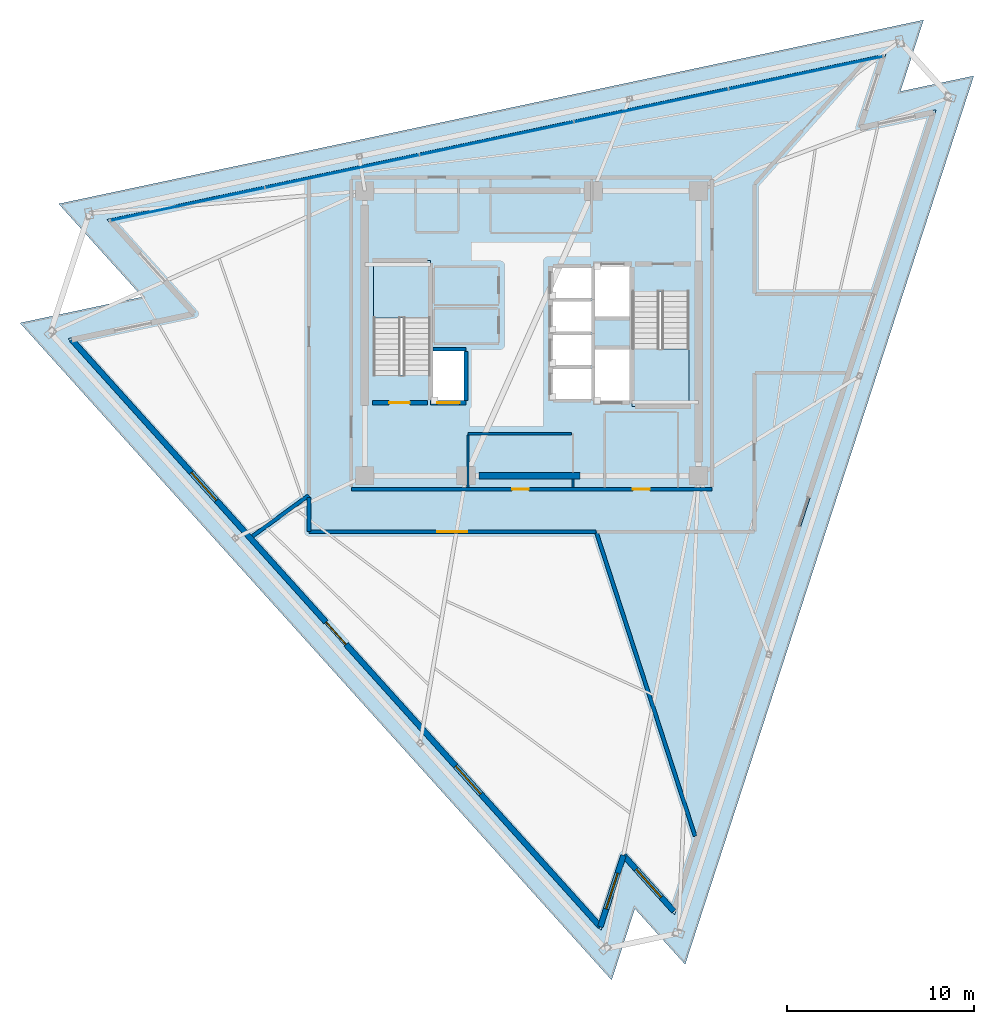
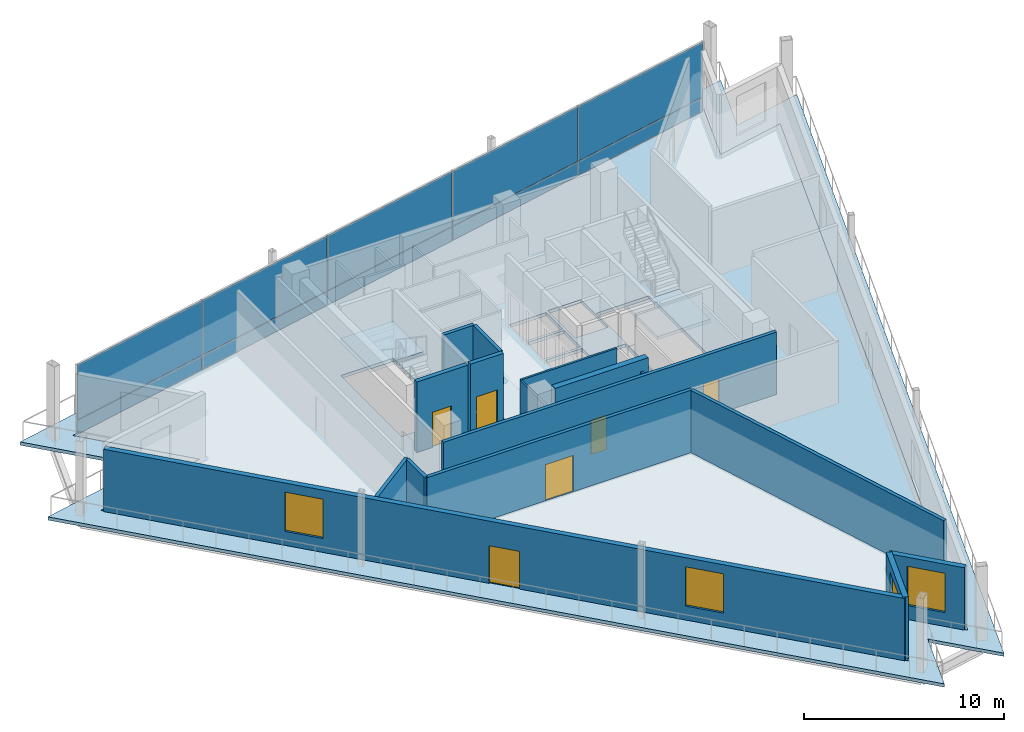
# One storey, part 6 of 11: 16 walls, 10 plates, 6 doors, 4 slabs, 4 windows, 10 openings, 3 elements without a shape of their own.
"""IFC4 building model written with IfcOpenShell, lengths in metres."""

from ifc_helpers import new_model, si_unit, direction, frame, frame_2d, origin, origin_2d, place, context, subcontext, project, spatial, polyline, rectangle, outline, extrude, material, layer, layer_set, type_object, element, fill, aggregate, save


model = new_model("IFC4")

# Units and contexts
model_context = context("Model", 3, precision=1e-05, world=origin(), true_north=direction((0.0, 1.0)))
body_context = subcontext(model_context, "Body", "Model", "MODEL_VIEW")
ifc_project = project(units=[si_unit("LENGTHUNIT", "METRE"), si_unit("AREAUNIT", "SQUARE_METRE"), si_unit("VOLUMEUNIT", "CUBIC_METRE"), si_unit("PLANEANGLEUNIT", "RADIAN"), si_unit("MASSUNIT", "GRAM", prefix="KILO")], contexts=[model_context])

# Site, building, storey
site_placement = place(None, origin())
site = spatial("IfcSite", under=ifc_project, at=site_placement, CompositionType="ELEMENT")
building_placement = place(site_placement, origin())
building = spatial("IfcBuilding", under=site, at=building_placement, Name="Tharavind Bronze Gate", CompositionType="ELEMENT")
storey_placement = place(building_placement, frame((0.0, 0.0, 306.300048828125)))
storey = spatial("IfcBuildingStorey", under=building, at=storey_placement, Name="L79", CompositionType="ELEMENT", Elevation=306.300048828125)

# Curtain wall, plates
ifc_material_1 = material(Name="Anodised Bronze Aluminium", Category="aluminium")
ifc_layer_1 = layer(ifc_material_1, 0.219970703125)
ifc_layer_set_1 = layer_set([ifc_layer_1], Name="Anodised Bronze Aluminium")
curtain_wall_type = type_object("IfcCurtainWallType", Name="UNITISED CURTAIN WALL CROWN", PredefinedType="USERDEFINED", material=ifc_layer_set_1)
curtain_wall_placement = place(storey_placement, origin())
curtain_wall = element("IfcCurtainWall", 1, at=curtain_wall_placement, inside=storey, type_object=curtain_wall_type, Name="L79 unitised curtain wall crown CW-L79-S3", ObjectType="UNITISED CURTAIN WALL", PredefinedType="USERDEFINED")
ifc_material_2 = material(Name="Patinated Bronze Alloy Sheet", Category="bronze")
ifc_layer_2 = layer(ifc_material_2, 0.01611328125)
ifc_layer_set_2 = layer_set([ifc_layer_2], Name="Patinated Bronze Alloy Sheet")
plate_type_1 = type_object("IfcPlateType", Name="BRONZE SPANDREL CLADDING PANEL 16", PredefinedType="CURTAIN_PANEL", material=ifc_layer_set_2)
plate_1_placement = place(storey_placement, frame((14.62353515625, 13.899169921875, 0.0263671875), z_axis=(0.0, 0.0, 1.0), x_axis=(-0.978147600734, -0.207911690818, 0.0)))
plate_1 = element("IfcPlate", 2, at=plate_1_placement, type_object=plate_type_1, Name="CW-L79-S3 bronze spandrel panel 1", PredefinedType="CURTAIN_PANEL", context=body_context, shape_type="SweptSolid", body=[
    extrude(rectangle(XDim=8.375, YDim=0.01611328125, at=origin_2d()), origin(), (0.0, 0.0, 1.0), 0.846923828125),
])
plate_2_placement = place(storey_placement, frame((6.3798828125, 12.146728515625, 0.0263671875), z_axis=(0.0, 0.0, 1.0), x_axis=(-0.978147600734, -0.207911690818, 0.0)))
plate_2 = element("IfcPlate", 3, at=plate_2_placement, type_object=plate_type_1, Name="CW-L79-S3 bronze spandrel panel 2", PredefinedType="CURTAIN_PANEL", context=body_context, shape_type="SweptSolid", body=[
    extrude(rectangle(XDim=8.375, YDim=0.01611328125, at=origin_2d()), origin(), (0.0, 0.0, 1.0), 0.846923828125),
])
plate_3_placement = place(storey_placement, frame((-1.86376953125, 10.39453125, 0.0263671875), z_axis=(0.0, 0.0, 1.0), x_axis=(-0.978147600734, -0.207911690818, 0.0)))
plate_3 = element("IfcPlate", 4, at=plate_3_placement, type_object=plate_type_1, Name="CW-L79-S3 bronze spandrel panel 3", PredefinedType="CURTAIN_PANEL", context=body_context, shape_type="SweptSolid", body=[
    extrude(rectangle(XDim=8.375, YDim=0.01611328125, at=origin_2d()), origin(), (0.0, 0.0, 1.0), 0.846923828125),
])
plate_4_placement = place(storey_placement, frame((-10.107666015625, 8.642333984375, 0.0263671875), z_axis=(0.0, 0.0, 1.0), x_axis=(-0.978147600734, -0.207911690818, 0.0)))
plate_4 = element("IfcPlate", 5, at=plate_4_placement, type_object=plate_type_1, Name="CW-L79-S3 bronze spandrel panel 4", PredefinedType="CURTAIN_PANEL", context=body_context, shape_type="SweptSolid", body=[
    extrude(rectangle(XDim=8.375, YDim=0.01611328125, at=origin_2d()), origin(), (0.0, 0.0, 1.0), 0.846923828125),
])
plate_5_placement = place(storey_placement, frame((-18.351318359375, 6.889892578125, 0.0263671875), z_axis=(0.0, 0.0, 1.0), x_axis=(-0.978147600734, -0.207911690818, 0.0)))
plate_5 = element("IfcPlate", 6, at=plate_5_placement, type_object=plate_type_1, Name="CW-L79-S3 bronze spandrel panel 5", PredefinedType="CURTAIN_PANEL", context=body_context, shape_type="SweptSolid", body=[
    extrude(rectangle(XDim=8.375, YDim=0.01611328125, at=origin_2d()), origin(), (0.0, 0.0, 1.0), 0.846923828125),
])

# Slab
ifc_material_3 = material(Name="Concrete C40/50", Category="concrete")
ifc_layer_3 = layer(ifc_material_3, 0.199951171875)
ifc_layer_set_3 = layer_set([ifc_layer_3], Name="Concrete C40/50")
slab_type_1 = type_object("IfcSlabType", Name="OBSERVATION DECK TERRACE SLAB 200", PredefinedType="FLOOR", material=ifc_layer_set_3)
slab_1_placement = place(storey_placement, frame((0.0, 0.0, -0.199951171875)))
element("IfcSlab", 7, at=slab_1_placement, inside=storey, type_object=slab_type_1, Name="L79 open-air observation deck terrace slab", PredefinedType="FLOOR", context=body_context, shape_type="SweptSolid", body=[
    extrude(outline(polyline([(-25.231201171875, 6.909912109375), (-20.761474609375, 1.94580078125), (-27.29541015625, 0.556884765625), (4.262451171875, -34.49169921875), (5.5009765625, -30.6796875), (8.182861328125, -33.658203125), (23.58251953125, 13.737060546875), (19.662109375, 12.90380859375), (20.900634765625, 16.7158203125), (-25.231201171875, 6.909912109375)]), holes=[polyline([(18.89404296875, 14.9091796875), (17.655517578125, 11.09716796875), (21.575927734375, 11.930419921875), (7.621337890625, -31.017333984375), (4.939453125, -28.038818359375), (3.700927734375, -31.8505859375), (-24.7275390625, -0.27734375), (-18.193603515625, 1.111328125), (-22.663330078125, 6.07568359375), (18.89404296875, 14.9091796875)])]), origin(), (0.0, 0.0, 1.0), 0.199951171875),
])

# Stair, slab
stair_type = type_object("IfcStairType", Name="CORE HALF TURN STAIR 1450", PredefinedType="HALF_TURN_STAIR", material=ifc_material_3)
stair_1_placement = place(storey_placement, origin())
stair_1 = element("IfcStair", 8, at=stair_1_placement, inside=storey, type_object=stair_type, Name="L79 Protected Exit Stair ST1", PredefinedType="HALF_TURN_STAIR")
ifc_layer_4 = layer(ifc_material_3, 0.199951171875)
ifc_layer_set_4 = layer_set([ifc_layer_4], Name="Concrete C40/50")
slab_type_2 = type_object("IfcSlabType", Name="STAIR LANDING SLAB 200", PredefinedType="LANDING", material=ifc_layer_set_4)
slab_2_placement = place(storey_placement, frame((0.0, 0.0, 2.074951171875)))
slab_2 = element("IfcSlab", 9, at=slab_2_placement, type_object=slab_type_2, Name="ST1 landing 1", PredefinedType="LANDING", context=body_context, shape_type="SweptSolid", body=[
    extrude(outline(polyline([(-5.39990234375, 0.830078125), (-5.39990234375, 3.89990234375), (-8.449951171875, 3.89990234375), (-8.449951171875, 0.830078125), (-5.39990234375, 0.830078125)])), origin(), (0.0, 0.0, 1.0), 0.199951171875),
])
aggregate(stair_1, [slab_2])

stair_2_placement = place(storey_placement, origin())
stair_2 = element("IfcStair", 10, at=stair_2_placement, inside=storey, type_object=stair_type, Name="L79 Protected Exit Stair ST2", PredefinedType="HALF_TURN_STAIR")
slab_3_placement = place(storey_placement, frame((0.0, 0.0, 2.074951171875)))
slab_3 = element("IfcSlab", 11, at=slab_3_placement, type_object=slab_type_2, Name="ST2 landing 1", PredefinedType="LANDING", context=body_context, shape_type="SweptSolid", body=[
    extrude(outline(polyline([(5.35009765625, -0.830078125), (5.35009765625, -3.89990234375), (8.39990234375, -3.89990234375), (8.39990234375, -0.830078125), (5.35009765625, -0.830078125)])), origin(), (0.0, 0.0, 1.0), 0.199951171875),
])
aggregate(stair_2, [slab_3])

# Slab
ifc_layer_5 = layer(ifc_material_3, 0.199951171875)
ifc_layer_set_5 = layer_set([ifc_layer_5], Name="Concrete C40/50")
slab_type_3 = type_object("IfcSlabType", Name="STRUCTURAL FLOOR SLAB 200", PredefinedType="FLOOR", material=ifc_layer_set_5)
slab_4_placement = place(storey_placement, frame((0.0, 0.0, -0.199951171875)))
element("IfcSlab", 12, at=slab_4_placement, inside=storey, type_object=slab_type_3, Name="L79 indoor lookout pavilion floor slab", PredefinedType="FLOOR", context=body_context, shape_type="SweptSolid", body=[
    extrude(outline(polyline([(-22.663330078125, 6.07568359375), (-18.193603515625, 1.111328125), (-24.7275390625, -0.27734375), (3.700927734375, -31.8505859375), (4.939453125, -28.038818359375), (7.621337890625, -31.017333984375), (21.575927734375, 11.930419921875), (17.655517578125, 11.09716796875), (18.89404296875, 14.9091796875), (-22.663330078125, 6.07568359375)]), holes=[polyline([(-5.39990234375, -2.215087890625), (-5.39990234375, 3.89990234375), (-8.449951171875, 3.89990234375), (-8.449951171875, -2.215087890625), (-5.39990234375, -2.215087890625)]), polyline([(5.35009765625, 2.215087890625), (5.35009765625, -3.89990234375), (8.39990234375, -3.89990234375), (8.39990234375, 2.215087890625), (5.35009765625, 2.215087890625)]), polyline([(1.080078125, -3.52001953125), (3.199951171875, -3.52001953125), (3.199951171875, -1.8798828125), (1.080078125, -1.8798828125), (1.080078125, -3.52001953125)]), polyline([(1.080078125, -1.719970703125), (3.199951171875, -1.719970703125), (3.199951171875, -0.080078125), (1.080078125, -0.080078125), (1.080078125, -1.719970703125)]), polyline([(1.080078125, 0.080078125), (3.199951171875, 0.080078125), (3.199951171875, 1.719970703125), (1.080078125, 1.719970703125), (1.080078125, 0.080078125)]), polyline([(1.080078125, 1.8798828125), (3.199951171875, 1.8798828125), (3.199951171875, 3.52001953125), (1.080078125, 3.52001953125), (1.080078125, 1.8798828125)]), polyline([(-5.320068359375, -3.6201171875), (-3.580078125, -3.6201171875), (-3.580078125, -0.929931640625), (-5.320068359375, -0.929931640625), (-5.320068359375, -3.6201171875)]), polyline([(3.360107421875, 0.8798828125), (5.27001953125, 0.8798828125), (5.27001953125, 3.6201171875), (3.360107421875, 3.6201171875), (3.360107421875, 0.8798828125)]), polyline([(3.360107421875, -3.6201171875), (5.27001953125, -3.6201171875), (5.27001953125, -0.830078125), (3.360107421875, -0.830078125), (3.360107421875, -3.6201171875)])]), origin(), (0.0, 0.0, 1.0), 0.199951171875),
])

# Plate
ifc_material_4 = material(Name="Triple Solar Control Glazing", Category="glass")
ifc_layer_6 = layer(ifc_material_4, 0.0439453125)
ifc_layer_set_6 = layer_set([ifc_layer_6], Name="Triple Solar Control Glazing")
plate_type_2 = type_object("IfcPlateType", Name="TRIPLE GLAZED FACADE PANEL 44", PredefinedType="CURTAIN_PANEL", material=ifc_layer_set_6)
plate_6_placement = place(storey_placement, frame((14.62353515625, 13.899169921875, 0.926513671875), z_axis=(0.0, 0.0, 1.0), x_axis=(-0.978147600734, -0.207911690818, 0.0)))
plate_6 = element("IfcPlate", 13, at=plate_6_placement, type_object=plate_type_2, Name="CW-L79-S3 vision glazing panel 1", PredefinedType="CURTAIN_PANEL", context=body_context, shape_type="SweptSolid", body=[
    extrude(rectangle(XDim=8.375, YDim=0.0439453125, at=origin_2d()), origin(), (0.0, 0.0, 1.0), 3.35693359375),
])

plate_7_placement = place(storey_placement, frame((6.3798828125, 12.146728515625, 0.926513671875), z_axis=(0.0, 0.0, 1.0), x_axis=(-0.978147600734, -0.207911690818, 0.0)))
plate_7 = element("IfcPlate", 14, at=plate_7_placement, type_object=plate_type_2, Name="CW-L79-S3 vision glazing panel 2", PredefinedType="CURTAIN_PANEL", context=body_context, shape_type="SweptSolid", body=[
    extrude(rectangle(XDim=8.375, YDim=0.0439453125, at=origin_2d()), origin(), (0.0, 0.0, 1.0), 3.35693359375),
])

plate_8_placement = place(storey_placement, frame((-1.86376953125, 10.39453125, 0.926513671875), z_axis=(0.0, 0.0, 1.0), x_axis=(-0.978147600734, -0.207911690818, 0.0)))
plate_8 = element("IfcPlate", 15, at=plate_8_placement, type_object=plate_type_2, Name="CW-L79-S3 vision glazing panel 3", PredefinedType="CURTAIN_PANEL", context=body_context, shape_type="SweptSolid", body=[
    extrude(rectangle(XDim=8.375, YDim=0.0439453125, at=origin_2d()), origin(), (0.0, 0.0, 1.0), 3.35693359375),
])

plate_9_placement = place(storey_placement, frame((-10.107666015625, 8.642333984375, 0.926513671875), z_axis=(0.0, 0.0, 1.0), x_axis=(-0.978147600734, -0.207911690818, 0.0)))
plate_9 = element("IfcPlate", 16, at=plate_9_placement, type_object=plate_type_2, Name="CW-L79-S3 vision glazing panel 4", PredefinedType="CURTAIN_PANEL", context=body_context, shape_type="SweptSolid", body=[
    extrude(rectangle(XDim=8.375, YDim=0.0439453125, at=origin_2d()), origin(), (0.0, 0.0, 1.0), 3.35693359375),
])

plate_10_placement = place(storey_placement, frame((-18.351318359375, 6.889892578125, 0.926513671875), z_axis=(0.0, 0.0, 1.0), x_axis=(-0.978147600734, -0.207911690818, 0.0)))
plate_10 = element("IfcPlate", 17, at=plate_10_placement, type_object=plate_type_2, Name="CW-L79-S3 vision glazing panel 5", PredefinedType="CURTAIN_PANEL", context=body_context, shape_type="SweptSolid", body=[
    extrude(rectangle(XDim=8.375, YDim=0.0439453125, at=origin_2d()), origin(), (0.0, 0.0, 1.0), 3.35693359375),
])

aggregate(curtain_wall, [plate_1, plate_6, plate_2, plate_7, plate_3, plate_8, plate_4, plate_9, plate_5, plate_10])

# Wall, openings, windows, door
ifc_layer_7 = layer(ifc_material_3, 0.300048828125)
ifc_layer_set_7 = layer_set([ifc_layer_7], Name="Concrete C40/50")
wall_type_1 = type_object("IfcWallType", Name="EXTERIOR SPANDREL WALL 300", PredefinedType="STANDARD", material=ifc_layer_set_7)
wall_1_placement = place(storey_placement, frame((-24.537353515625, -0.339111328125, 0.0), z_axis=(0.0, 0.0, 1.0), x_axis=(0.669127961041, -0.743147207324, 0.0)))
wall_1 = element("IfcWall", 18, at=wall_1_placement, inside=storey, type_object=wall_type_1, Name="L79 observation deck portal wall 1", PredefinedType="STANDARD", context=body_context, shape_type="SweptSolid", body=[
    extrude(rectangle(XDim=42.1396484375, YDim=0.300048828125, at=frame_2d((21.06982421875, 0.0))), origin(), (0.0, 0.0, 1.0), 3.804931640625),
])
opening_1_placement = place(wall_1_placement, frame((20.27001953125, 0.0, 0.0)))
opening_1 = element("IfcOpeningElement", 19, at=opening_1_placement, cuts=wall_1, Name="Opening ED05", PredefinedType="OPENING", context=body_context, shape_type="SweptSolid", body=[
    extrude(rectangle(XDim=1.60009765625, YDim=2.300048828125, at=frame_2d((0.800048828125, 1.14990234375))), frame((0.0, 0.15990234375, 0.0), z_axis=(0.0, -1.0, 0.0), x_axis=(1.0, 0.0, 0.0)), (0.0, 0.0, 1.0), 0.320048828125),
])
opening_2_placement = place(wall_1_placement, frame((9.534912109375, 0.0, 0.85009765625)))
opening_2 = element("IfcOpeningElement", 20, at=opening_2_placement, cuts=wall_1, Name="Opening W06", PredefinedType="OPENING", context=body_context, shape_type="SweptSolid", body=[
    extrude(rectangle(XDim=2.0, YDim=2.39990234375, at=frame_2d((1.0, 1.199951171875))), frame((0.0, 0.15990234375, 0.0), z_axis=(0.0, -1.0, 0.0), x_axis=(1.0, 0.0, 0.0)), (0.0, 0.0, 1.0), 0.320048828125),
])
opening_3_placement = place(wall_1_placement, frame((30.60498046875, 0.0, 0.85009765625)))
opening_3 = element("IfcOpeningElement", 21, at=opening_3_placement, cuts=wall_1, Name="Opening W06", PredefinedType="OPENING", context=body_context, shape_type="SweptSolid", body=[
    extrude(rectangle(XDim=2.0, YDim=2.39990234375, at=frame_2d((1.0, 1.199951171875))), frame((0.0, 0.15990234375, 0.0), z_axis=(0.0, -1.0, 0.0), x_axis=(1.0, 0.0, 0.0)), (0.0, 0.0, 1.0), 0.320048828125),
])
ifc_material_5 = material(Name="Bronze Aluminium & Low-E Glass", Category="aluminium")
window_type = type_object("IfcWindowType", Name="CROWN OBSERVATORY WINDOW 2000X2400", PartitioningType="DOUBLE_PANEL_VERTICAL", PredefinedType="WINDOW", material=ifc_material_5)
window_1_placement = place(opening_2_placement, origin())
window_1 = element("IfcWindow", 22, at=window_1_placement, inside=storey, type_object=window_type, Name="L79 exterior window WL-L79-OBS1-01", OverallHeight=2.39990234375, OverallWidth=2.0, PartitioningType="SINGLE_PANEL", PredefinedType="WINDOW", context=body_context, shape_type="SweptSolid", body=[
    extrude(rectangle(XDim=2.0, YDim=2.39990234375, at=frame_2d((1.0, 1.199951171875))), frame((0.0, 0.030029296875, 0.0), z_axis=(0.0, -1.0, 0.0), x_axis=(1.0, 0.0, 0.0)), (0.0, 0.0, 1.0), 0.06005859375),
])
fill(opening_2, window_1)
window_2_placement = place(opening_3_placement, origin())
window_2 = element("IfcWindow", 23, at=window_2_placement, inside=storey, type_object=window_type, Name="L79 exterior window WL-L79-OBS1-03", OverallHeight=2.39990234375, OverallWidth=2.0, PartitioningType="SINGLE_PANEL", PredefinedType="WINDOW", context=body_context, shape_type="SweptSolid", body=[
    extrude(rectangle(XDim=2.0, YDim=2.39990234375, at=frame_2d((1.0, 1.199951171875))), frame((0.0, 0.030029296875, 0.0), z_axis=(0.0, -1.0, 0.0), x_axis=(1.0, 0.0, 0.0)), (0.0, 0.0, 1.0), 0.06005859375),
])
fill(opening_3, window_2)
ifc_material_6 = material(Name="Bronze Aluminium & Toughened Glass", Category="aluminium")
door_type_1 = type_object("IfcDoorType", Name="OBSERVATION DECK GLAZED DOOR 1600X2300", OperationType="DOUBLE_DOOR_SINGLE_SWING", PredefinedType="DOOR", material=ifc_material_6)
door_1_placement = place(opening_1_placement, frame((1.60009765625, 0.0, 0.0), z_axis=(0.0, 0.0, 1.0), x_axis=(-1.0, 0.0, 0.0)))
door_1 = element("IfcDoor", 24, at=door_1_placement, inside=storey, type_object=door_type_1, Name="L79 open-air observation deck exit door 1", OperationType="DOUBLE_DOOR_SINGLE_SWING", OverallHeight=2.300048828125, OverallWidth=1.60009765625, PredefinedType="DOOR", context=body_context, shape_type="SweptSolid", body=[
    extrude(rectangle(XDim=1.60009765625, YDim=2.300048828125, at=frame_2d((0.800048828125, 1.14990234375))), frame((0.0, 0.02490234375, 0.0), z_axis=(0.0, -1.0, 0.0), x_axis=(1.0, 0.0, 0.0)), (0.0, 0.0, 1.0), 0.050048828125),
])
fill(opening_1, door_1)

# Wall, opening, window
wall_2_placement = place(storey_placement, frame((3.659423828125, -31.655029296875, 0.0), z_axis=(0.0, 0.0, 1.0), x_axis=(0.309018580232, 0.951056001018, 0.0)))
wall_2 = element("IfcWall", 25, at=wall_2_placement, inside=storey, type_object=wall_type_1, Name="L79 notch cheek wall 2A", PredefinedType="STANDARD", context=body_context, shape_type="SweptSolid", body=[
    extrude(rectangle(XDim=4.0078125, YDim=0.300048828125, at=frame_2d((2.00390625, 0.0))), origin(), (0.0, 0.0, 1.0), 3.804931640625),
])
opening_4_placement = place(wall_2_placement, frame((1.00390625, 0.0, 0.85009765625)))
opening_4 = element("IfcOpeningElement", 26, at=opening_4_placement, cuts=wall_2, Name="Opening W06", PredefinedType="OPENING", context=body_context, shape_type="SweptSolid", body=[
    extrude(rectangle(XDim=2.0, YDim=2.39990234375, at=frame_2d((1.0, 1.199951171875))), frame((0.0, 0.15990234375, 0.0), z_axis=(0.0, -1.0, 0.0), x_axis=(1.0, 0.0, 0.0)), (0.0, 0.0, 1.0), 0.320048828125),
])
window_3_placement = place(opening_4_placement, origin())
window_3 = element("IfcWindow", 27, at=window_3_placement, inside=storey, type_object=window_type, Name="L79 exterior window WL-L79-NCA2-01", OverallHeight=2.39990234375, OverallWidth=2.0, PartitioningType="SINGLE_PANEL", PredefinedType="WINDOW", context=body_context, shape_type="SweptSolid", body=[
    extrude(rectangle(XDim=2.0, YDim=2.39990234375, at=frame_2d((1.0, 1.199951171875))), frame((0.0, 0.030029296875, 0.0), z_axis=(0.0, -1.0, 0.0), x_axis=(1.0, 0.0, 0.0)), (0.0, 0.0, 1.0), 0.06005859375),
])
fill(opening_4, window_3)

wall_3_placement = place(storey_placement, frame((4.89794921875, -27.84326171875, 0.0), z_axis=(0.0, 0.0, 1.0), x_axis=(0.669132983361, -0.743142685208, 0.0)))
wall_3 = element("IfcWall", 28, at=wall_3_placement, inside=storey, type_object=wall_type_1, Name="L79 notch cheek wall 2B", PredefinedType="STANDARD", context=body_context, shape_type="SweptSolid", body=[
    extrude(rectangle(XDim=4.008056640625, YDim=0.300048828125, at=frame_2d((2.00390625, 0.0))), origin(), (0.0, 0.0, 1.0), 3.804931640625),
])
opening_5_placement = place(wall_3_placement, frame((1.00390625, 0.0, 0.85009765625)))
opening_5 = element("IfcOpeningElement", 29, at=opening_5_placement, cuts=wall_3, Name="Opening W06", PredefinedType="OPENING", context=body_context, shape_type="SweptSolid", body=[
    extrude(rectangle(XDim=2.0, YDim=2.39990234375, at=frame_2d((1.0, 1.199951171875))), frame((0.0, 0.15990234375, 0.0), z_axis=(0.0, -1.0, 0.0), x_axis=(1.0, 0.0, 0.0)), (0.0, 0.0, 1.0), 0.320048828125),
])
window_4_placement = place(opening_5_placement, origin())
window_4 = element("IfcWindow", 30, at=window_4_placement, inside=storey, type_object=window_type, Name="L79 exterior window WL-L79-NCB2-01", OverallHeight=2.39990234375, OverallWidth=2.0, PartitioningType="SINGLE_PANEL", PredefinedType="WINDOW", context=body_context, shape_type="SweptSolid", body=[
    extrude(rectangle(XDim=2.0, YDim=2.39990234375, at=frame_2d((1.0, 1.199951171875))), frame((0.0, 0.030029296875, 0.0), z_axis=(0.0, -1.0, 0.0), x_axis=(1.0, 0.0, 0.0)), (0.0, 0.0, 1.0), 0.06005859375),
])
fill(opening_5, window_4)

# Wall, openings, doors
ifc_material_7 = material(Name="Aerated Concrete Block", Category="concrete")
ifc_layer_8 = layer(ifc_material_7, 0.199951171875)
ifc_layer_set_8 = layer_set([ifc_layer_8], Name="Aerated Concrete Block")
wall_type_2 = type_object("IfcWallType", Name="FIRE RATED PARTITION 200", PredefinedType="PARTITIONING", material=ifc_layer_set_8)
wall_4_placement = place(storey_placement, frame((-9.6201171875, -8.320068359375, 0.0), z_axis=(0.0, 0.0, 1.0), x_axis=(1.0, 0.0, 0.0)))
wall_4 = element("IfcWall", 31, at=wall_4_placement, inside=storey, type_object=wall_type_2, Name="L79 south core corridor wall", PredefinedType="PARTITIONING", context=body_context, shape_type="SweptSolid", body=[
    extrude(rectangle(XDim=19.240234375, YDim=0.199951171875, at=frame_2d((9.6201171875, 0.0))), origin(), (0.0, 0.0, 1.0), 3.804931640625),
])
opening_6_placement = place(wall_4_placement, frame((8.570068359375, 0.0, 0.0)))
opening_6 = element("IfcOpeningElement", 32, at=opening_6_placement, cuts=wall_4, Name="Opening ID07", PredefinedType="OPENING", context=body_context, shape_type="SweptSolid", body=[
    extrude(rectangle(XDim=0.89990234375, YDim=2.10009765625, at=frame_2d((0.449951171875, 1.050048828125))), frame((0.0, 0.11009765625, 0.0), z_axis=(0.0, -1.0, 0.0), x_axis=(1.0, 0.0, 0.0)), (0.0, 0.0, 1.0), 0.219951171875),
])
opening_7_placement = place(wall_4_placement, frame((15.02001953125, 0.0, 0.0)))
opening_7 = element("IfcOpeningElement", 33, at=opening_7_placement, cuts=wall_4, Name="Opening ID07", PredefinedType="OPENING", context=body_context, shape_type="SweptSolid", body=[
    extrude(rectangle(XDim=0.89990234375, YDim=2.10009765625, at=frame_2d((0.449951171875, 1.050048828125))), frame((0.0, 0.11009765625, 0.0), z_axis=(0.0, -1.0, 0.0), x_axis=(1.0, 0.0, 0.0)), (0.0, 0.0, 1.0), 0.219951171875),
])
ifc_material_8 = material(Name="Galvanised Fire Steel", Category="steel")
door_type_2 = type_object("IfcDoorType", Name="PLANT AND RISER FIRE DOOR 900X2100", OperationType="SINGLE_SWING_LEFT", PredefinedType="DOOR", material=ifc_material_8)
door_2_placement = place(opening_6_placement, origin())
door_2 = element("IfcDoor", 34, at=door_2_placement, inside=storey, type_object=door_type_2, Name="L79 Core BMS Control Room fire door", OperationType="SINGLE_SWING_LEFT", OverallHeight=2.10009765625, OverallWidth=0.89990234375, PredefinedType="DOOR", context=body_context, shape_type="SweptSolid", body=[
    extrude(rectangle(XDim=0.89990234375, YDim=2.10009765625, at=frame_2d((0.449951171875, 1.050048828125))), frame((0.0, 0.02490234375, 0.0), z_axis=(0.0, -1.0, 0.0), x_axis=(1.0, 0.0, 0.0)), (0.0, 0.0, 1.0), 0.050048828125),
])
fill(opening_6, door_2)
door_3_placement = place(opening_7_placement, origin())
door_3 = element("IfcDoor", 35, at=door_3_placement, inside=storey, type_object=door_type_2, Name="L79 Telecom Metering Room fire door", OperationType="SINGLE_SWING_LEFT", OverallHeight=2.10009765625, OverallWidth=0.89990234375, PredefinedType="DOOR", context=body_context, shape_type="SweptSolid", body=[
    extrude(rectangle(XDim=0.89990234375, YDim=2.10009765625, at=frame_2d((0.449951171875, 1.050048828125))), frame((0.0, 0.02490234375, 0.0), z_axis=(0.0, -1.0, 0.0), x_axis=(1.0, 0.0, 0.0)), (0.0, 0.0, 1.0), 0.050048828125),
])
fill(opening_7, door_3)

# Walls
wall_5_placement = place(storey_placement, frame((8.7158203125, -26.82421875, 0.0), z_axis=(0.0, 0.0, 1.0), x_axis=(-0.309025833938, 0.951053644102, 0.0)))
element("IfcWall", 36, at=wall_5_placement, inside=storey, type_object=wall_type_2, Name="L79 Public Restrooms Block partition", PredefinedType="PARTITIONING", context=body_context, shape_type="SweptSolid", body=[
    extrude(rectangle(XDim=17.045654296875, YDim=0.199951171875, at=frame_2d((8.52294921875, 0.0))), origin(), (0.0, 0.0, 1.0), 3.804931640625),
])
wall_6_placement = place(storey_placement, frame((-11.890380859375, -8.638916015625, 0.0), z_axis=(0.0, 0.0, 1.0), x_axis=(-0.80904328996, -0.587749057822, 0.0)))
element("IfcWall", 37, at=wall_6_placement, inside=storey, type_object=wall_type_2, Name="L79 Observatory Management Office partition", PredefinedType="PARTITIONING", context=body_context, shape_type="SweptSolid", body=[
    extrude(rectangle(XDim=3.710205078125, YDim=0.199951171875, at=frame_2d((1.85498046875, 0.0))), origin(), (0.0, 0.0, 1.0), 3.804931640625),
])

# Wall, opening, door
wall_7_placement = place(storey_placement, frame((-11.87939453125, -10.580078125, 0.0), z_axis=(0.0, 0.0, 1.0), x_axis=(1.0, 0.0, 0.0)))
wall_7 = element("IfcWall", 38, at=wall_7_placement, inside=storey, type_object=wall_type_2, Name="L79 Observatory Gift Shop partition", PredefinedType="PARTITIONING", context=body_context, shape_type="SweptSolid", body=[
    extrude(rectangle(XDim=15.298828125, YDim=0.199951171875, at=frame_2d((7.6494140625, 0.0))), origin(), (0.0, 0.0, 1.0), 3.804931640625),
])
opening_8_placement = place(wall_7_placement, frame((6.84912109375, 0.0, 0.0)))
opening_8 = element("IfcOpeningElement", 39, at=opening_8_placement, cuts=wall_7, Name="Opening ID02", PredefinedType="OPENING", context=body_context, shape_type="SweptSolid", body=[
    extrude(rectangle(XDim=1.60009765625, YDim=2.199951171875, at=frame_2d((0.800048828125, 1.10009765625))), frame((0.0, 0.11009765625, 0.0), z_axis=(0.0, -1.0, 0.0), x_axis=(1.0, 0.0, 0.0)), (0.0, 0.0, 1.0), 0.219951171875),
])
ifc_material_9 = material(Name="Fire-Rated Bronze Steel", Category="steel")
door_type_3 = type_object("IfcDoorType", Name="LOBBY DOUBLE FIRE DOOR 1600X2200", OperationType="DOUBLE_DOOR_SINGLE_SWING", PredefinedType="DOOR", material=ifc_material_9)
door_4_placement = place(opening_8_placement, origin())
door_4 = element("IfcDoor", 40, at=door_4_placement, inside=storey, type_object=door_type_3, Name="L79 Observatory Gift Shop door", OperationType="DOUBLE_DOOR_SINGLE_SWING", OverallHeight=2.199951171875, OverallWidth=1.60009765625, PredefinedType="DOOR", context=body_context, shape_type="SweptSolid", body=[
    extrude(rectangle(XDim=1.60009765625, YDim=2.199951171875, at=frame_2d((0.800048828125, 1.10009765625))), frame((0.0, 0.02490234375, 0.0), z_axis=(0.0, -1.0, 0.0), x_axis=(1.0, 0.0, 0.0)), (0.0, 0.0, 1.0), 0.050048828125),
])
fill(opening_8, door_4)

# Walls
wall_8_placement = place(storey_placement, frame((-11.8798828125, -8.760986328125, 0.0), z_axis=(0.0, 0.0, 1.0), x_axis=(0.0, -1.0, 0.0)))
element("IfcWall", 41, at=wall_8_placement, inside=storey, type_object=wall_type_2, Name="L79 Observatory Gift Shop partition", PredefinedType="PARTITIONING", context=body_context, shape_type="SweptSolid", body=[
    extrude(rectangle(XDim=1.818359375, YDim=0.199951171875, at=frame_2d((0.9091796875, 0.0))), origin(), (0.0, 0.0, 1.0), 3.804931640625),
])
ifc_material_10 = material(Name="Metal Stud Gypsum Partition", Category="gypsum")
ifc_layer_9 = layer(ifc_material_10, 0.1201171875)
ifc_layer_set_9 = layer_set([ifc_layer_9], Name="Metal Stud Gypsum Partition")
wall_type_3 = type_object("IfcWallType", Name="INTERIOR PARTITION WALL 120", PredefinedType="PARTITIONING", material=ifc_layer_set_9)
wall_9_placement = place(storey_placement, frame((2.199951171875, -8.215087890625, 0.0), z_axis=(0.0, 0.0, 1.0), x_axis=(0.0, 1.0, 0.0)))
element("IfcWall", 42, at=wall_9_placement, inside=storey, type_object=wall_type_3, Name="L79 Core BMS Control Room partition 2", PredefinedType="PARTITIONING", context=body_context, shape_type="SweptSolid", body=[
    extrude(rectangle(XDim=0.43505859375, YDim=0.1201171875, at=frame_2d((0.217529296875, 0.0))), origin(), (0.0, 0.0, 1.0), 3.60498046875),
])
wall_10_placement = place(storey_placement, frame((2.135009765625, -5.35009765625, 0.0), z_axis=(0.0, 0.0, 1.0), x_axis=(-1.0, 0.0, 0.0)))
element("IfcWall", 43, at=wall_10_placement, inside=storey, type_object=wall_type_3, Name="L79 Core BMS Control Room partition 3", PredefinedType="PARTITIONING", context=body_context, shape_type="SweptSolid", body=[
    extrude(rectangle(XDim=5.534912109375, YDim=0.1201171875, at=frame_2d((2.767578125, 0.0))), origin(), (0.0, 0.0, 1.0), 3.60498046875),
])
wall_11_placement = place(storey_placement, frame((-3.39990234375, -5.4150390625, 0.0), z_axis=(0.0, 0.0, 1.0), x_axis=(0.0, -1.0, 0.0)))
element("IfcWall", 44, at=wall_11_placement, inside=storey, type_object=wall_type_3, Name="L79 Core BMS Control Room partition 4", PredefinedType="PARTITIONING", context=body_context, shape_type="SweptSolid", body=[
    extrude(rectangle(XDim=2.800048828125, YDim=0.1201171875, at=frame_2d((1.39990234375, 0.0))), origin(), (0.0, 0.0, 1.0), 3.60498046875),
])

# Wall, opening, door
ifc_material_11 = material(Name="Concrete C50/60", Category="concrete")
ifc_layer_10 = layer(ifc_material_11, 0.25)
ifc_layer_set_10 = layer_set([ifc_layer_10], Name="Concrete C50/60")
wall_type_4 = type_object("IfcWallType", Name="RC CORE SHEAR WALL 250", PredefinedType="SHEAR", material=ifc_layer_set_10)
wall_12_placement = place(storey_placement, frame((-8.5, -3.699951171875, 0.0), z_axis=(0.0, 0.0, 1.0), x_axis=(1.0, 0.0, 0.0)))
wall_12 = element("IfcWall", 45, at=wall_12_placement, inside=storey, type_object=wall_type_4, Name="L79 ST1 shaft south wall", PredefinedType="SHEAR", context=body_context, shape_type="SweptSolid", body=[
    extrude(rectangle(XDim=2.949951171875, YDim=0.25, at=frame_2d((1.47509765625, 0.0))), origin(), (0.0, 0.0, 1.0), 4.31005859375),
])
opening_9_placement = place(wall_12_placement, frame((0.89990234375, 0.0, 0.0)))
opening_9 = element("IfcOpeningElement", 46, at=opening_9_placement, cuts=wall_12, Name="Opening ID01", PredefinedType="OPENING", context=body_context, shape_type="SweptSolid", body=[
    extrude(rectangle(XDim=1.10009765625, YDim=2.14990234375, at=frame_2d((0.550048828125, 1.074951171875))), frame((0.0, 0.135, 0.0), z_axis=(0.0, -1.0, 0.0), x_axis=(1.0, 0.0, 0.0)), (0.0, 0.0, 1.0), 0.27),
])
ifc_material_12 = material(Name="Fire-Rated Steel", Category="steel")
door_type_4 = type_object("IfcDoorType", Name="STAIR CORE FIRE DOOR 1100X2150", OperationType="SINGLE_SWING_LEFT", PredefinedType="DOOR", material=ifc_material_12)
door_5_placement = place(opening_9_placement, origin())
door_5 = element("IfcDoor", 47, at=door_5_placement, inside=storey, type_object=door_type_4, Name="L79 exit stair ST1 fire door", OperationType="SINGLE_SWING_LEFT", OverallHeight=2.14990234375, OverallWidth=1.10009765625, PredefinedType="DOOR", context=body_context, shape_type="SweptSolid", body=[
    extrude(rectangle(XDim=1.10009765625, YDim=2.14990234375, at=frame_2d((0.550048828125, 1.074951171875))), frame((0.0, 0.02490234375, 0.0), z_axis=(0.0, -1.0, 0.0), x_axis=(1.0, 0.0, 0.0)), (0.0, 0.0, 1.0), 0.050048828125),
])
fill(opening_9, door_5)

wall_13_placement = place(storey_placement, frame((-5.39990234375, -3.699951171875, 0.0), z_axis=(0.0, 0.0, 1.0), x_axis=(1.0, 0.0, 0.0)))
wall_13 = element("IfcWall", 48, at=wall_13_placement, inside=storey, type_object=wall_type_4, Name="L79 lift FFL1 shaft front wall", PredefinedType="SHEAR", context=body_context, shape_type="SweptSolid", body=[
    extrude(rectangle(XDim=1.89990234375, YDim=0.25, at=frame_2d((0.949951171875, 0.0))), origin(), (0.0, 0.0, 1.0), 4.31005859375),
])
opening_10_placement = place(wall_13_placement, frame((0.35009765625, 0.0, 0.0)))
opening_10 = element("IfcOpeningElement", 49, at=opening_10_placement, cuts=wall_13, Name="Opening LD02", PredefinedType="OPENING", context=body_context, shape_type="SweptSolid", body=[
    extrude(rectangle(XDim=1.199951171875, YDim=2.199951171875, at=frame_2d((0.60009765625, 1.10009765625))), frame((0.0, 0.135, 0.0), z_axis=(0.0, -1.0, 0.0), x_axis=(1.0, 0.0, 0.0)), (0.0, 0.0, 1.0), 0.27),
])
ifc_material_13 = material(Name="Brushed Stainless Steel", Category="steel")
door_type_5 = type_object("IfcDoorType", Name="FIREFIGHTING LIFT LANDING DOOR 1200X2200", OperationType="SLIDING_TO_RIGHT", PredefinedType="DOOR", material=ifc_material_13)
door_6_placement = place(opening_10_placement, origin())
door_6 = element("IfcDoor", 50, at=door_6_placement, inside=storey, type_object=door_type_5, Name="L79 lift FFL1 sliding landing door", OperationType="SLIDING_TO_RIGHT", OverallHeight=2.199951171875, OverallWidth=1.199951171875, PredefinedType="DOOR", context=body_context, shape_type="SweptSolid", body=[
    extrude(rectangle(XDim=1.199951171875, YDim=2.199951171875, at=frame_2d((0.60009765625, 1.10009765625))), frame((0.0, 0.02490234375, 0.0), z_axis=(0.0, -1.0, 0.0), x_axis=(1.0, 0.0, 0.0)), (0.0, 0.0, 1.0), 0.050048828125),
])
fill(opening_10, door_6)

# Walls
ifc_layer_11 = layer(ifc_material_11, 0.35009765625)
ifc_layer_set_11 = layer_set([ifc_layer_11], Name="Concrete C50/60")
wall_type_5 = type_object("IfcWallType", Name="RC CORE SHEAR WALL 350", PredefinedType="SHEAR", material=ifc_layer_set_11)
wall_14_placement = place(storey_placement, frame((-2.800048828125, -7.60009765625, 0.0), z_axis=(0.0, 0.0, 1.0), x_axis=(1.0, 0.0, 0.0)))
element("IfcWall", 51, at=wall_14_placement, inside=storey, type_object=wall_type_5, Name="L79 south core shear wall", PredefinedType="SHEAR", context=body_context, shape_type="SweptSolid", body=[
    extrude(rectangle(XDim=5.380126953125, YDim=0.35009765625, at=frame_2d((2.68994140625, 0.0))), origin(), (0.0, 0.0, 1.0), 4.31005859375),
])
ifc_layer_12 = layer(ifc_material_3, 0.199951171875)
ifc_layer_set_12 = layer_set([ifc_layer_12], Name="Concrete C40/50")
wall_type_6 = type_object("IfcWallType", Name="SHAFT ENCLOSURE WALL 200", PredefinedType="PARTITIONING", material=ifc_layer_set_12)
wall_15_placement = place(storey_placement, frame((-5.27001953125, -0.85009765625, 0.0), z_axis=(0.0, 0.0, 1.0), x_axis=(1.0, 0.0, 0.0)))
element("IfcWall", 52, at=wall_15_placement, inside=storey, type_object=wall_type_6, Name="L79 lift FFL1 shaft N enclosure wall", PredefinedType="PARTITIONING", context=body_context, shape_type="SweptSolid", body=[
    extrude(rectangle(XDim=1.77001953125, YDim=0.199951171875, at=frame_2d((0.885009765625, 0.0))), origin(), (0.0, 0.0, 1.0), 4.31005859375),
])
wall_16_placement = place(storey_placement, frame((-3.5, -3.570068359375, 0.0), z_axis=(0.0, 0.0, 1.0), x_axis=(0.0, 1.0, 0.0)))
element("IfcWall", 53, at=wall_16_placement, inside=storey, type_object=wall_type_6, Name="L79 lift FFL1 shaft E enclosure wall", PredefinedType="PARTITIONING", context=body_context, shape_type="SweptSolid", body=[
    extrude(rectangle(XDim=2.614990234375, YDim=0.199951171875, at=frame_2d((1.3076171875, 0.0))), origin(), (0.0, 0.0, 1.0), 4.31005859375),
])

save(model, "model.ifc")
